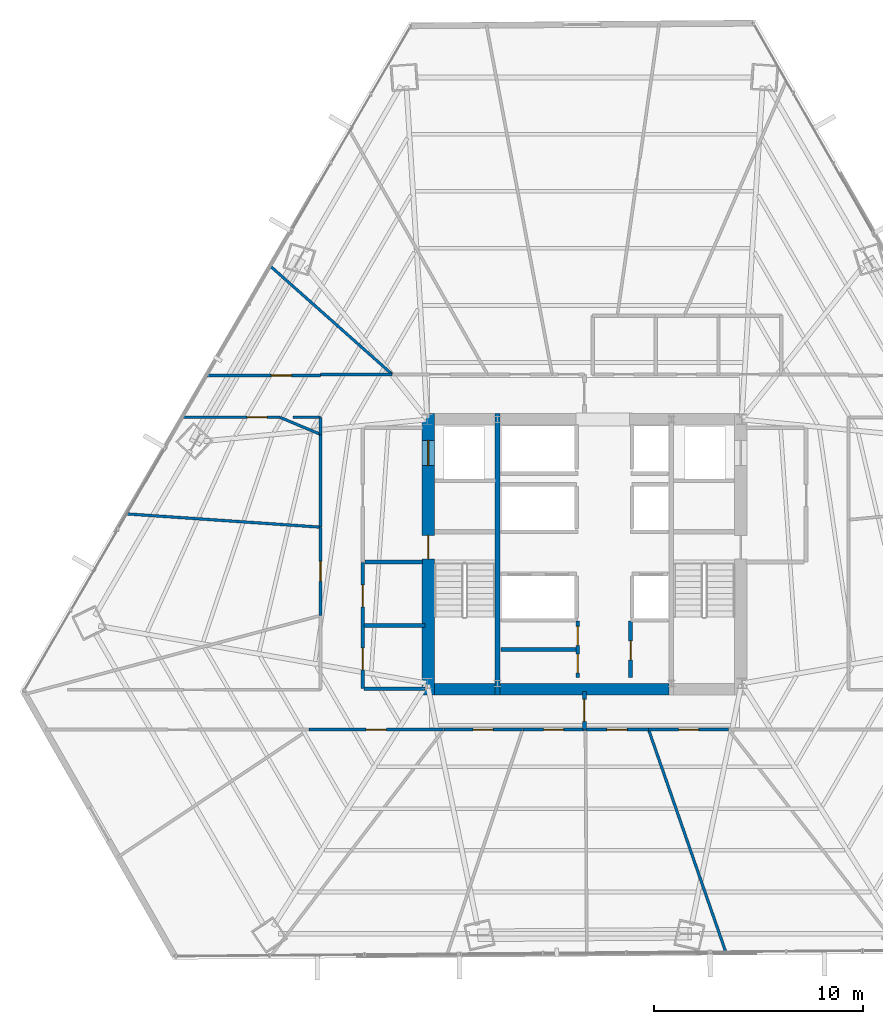
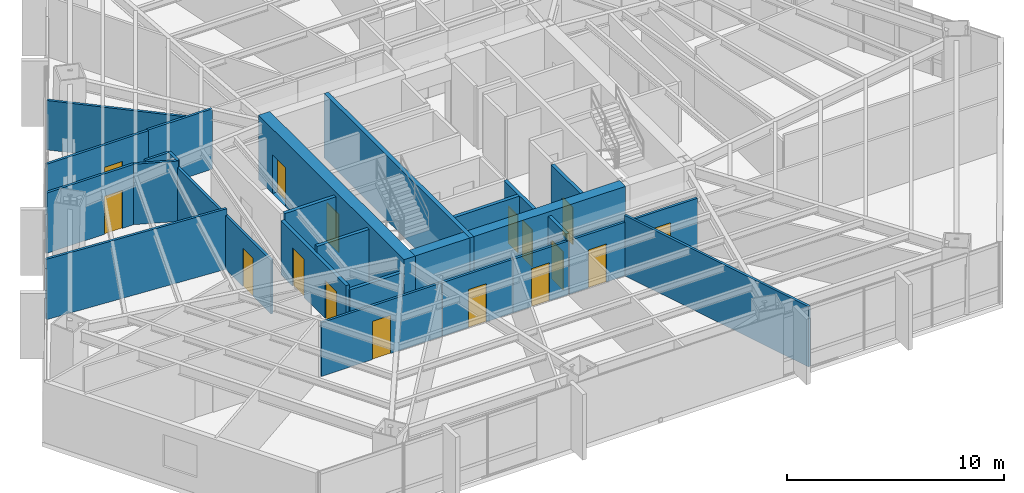
# One storey, part 29 of 34: 28 walls, 16 doors, 16 openings.
"""IFC4 building model written with IfcOpenShell, lengths in metres."""

from ifc_helpers import new_model, si_unit, direction, frame, frame_2d, origin, place, context, subcontext, project, spatial, rectangle, extrude, material, layer, layer_set, type_object, element, fill, save


model = new_model("IFC4")

# Units and contexts
model_context = context("Model", 3, precision=1e-05, world=origin(), true_north=direction((0.0, 1.0)))
body_context = subcontext(model_context, "Body", "Model", "MODEL_VIEW")
ifc_project = project(units=[si_unit("LENGTHUNIT", "METRE"), si_unit("AREAUNIT", "SQUARE_METRE"), si_unit("VOLUMEUNIT", "CUBIC_METRE"), si_unit("PLANEANGLEUNIT", "RADIAN"), si_unit("MASSUNIT", "GRAM", prefix="KILO")], contexts=[model_context])

# Site, building, storey
site_placement = place(None, origin())
site = spatial("IfcSite", under=ifc_project, at=site_placement, CompositionType="ELEMENT")
building_placement = place(site_placement, origin())
building = spatial("IfcBuilding", under=site, at=building_placement, Name="Caelisora Broadcast Tower", CompositionType="ELEMENT")
storey_placement = place(building_placement, frame((0.0, 0.0, 56.800048828125)))
storey = spatial("IfcBuildingStorey", under=building, at=storey_placement, Name="L14", CompositionType="ELEMENT", Elevation=56.800048828125)

# Wall, openings, doors
ifc_material_1 = material(Name="Concrete 65 MPa (AS 3600 S65)", Category="concrete")
ifc_layer_1 = layer(ifc_material_1, 0.60009765625, Name="Concrete 65 MPa (AS 3600 S65)")
ifc_layer_set_1 = layer_set([ifc_layer_1], Name="Concrete 65 MPa (AS 3600 S65)")
wall_type_1 = type_object("IfcWallType", Name="CW1", PredefinedType="SHEAR", material=ifc_layer_set_1)
wall_1_placement = place(storey_placement, frame((30.5400390625, 16.85009765625, 0.0), z_axis=(0.0, 0.0, 1.0), x_axis=(0.0, 1.0, 0.0)))
wall_1 = element("IfcWall", 1, at=wall_1_placement, inside=storey, type_object=wall_type_1, Name="L14 core shear wall CW1", PredefinedType="SHEAR", context=body_context, shape_type="SweptSolid", body=[
    extrude(rectangle(XDim=13.4248046875, YDim=0.60009765625, at=frame_2d((6.71240234375, 0.0))), origin(), (0.0, 0.0, 1.0), 3.64990234375),
])
opening_1_placement = place(wall_1_placement, frame((6.5, 0.0, 0.0)))
opening_1 = element("IfcOpeningElement", 2, at=opening_1_placement, cuts=wall_1, Name="Opening FD04", PredefinedType="OPENING", context=body_context, shape_type="SweptSolid", body=[
    extrude(rectangle(XDim=1.1201171875, YDim=2.14990234375, at=frame_2d((0.56005859375, 1.074951171875))), frame((0.0, 0.31201171875, 0.0), z_axis=(0.0, -1.0, 0.0), x_axis=(1.0, 0.0, 0.0)), (0.0, 0.0, 1.0), 0.6240234375),
])
opening_2_placement = place(wall_1_placement, frame((10.949951171875, 0.0, 0.0)))
opening_2 = element("IfcOpeningElement", 3, at=opening_2_placement, cuts=wall_1, Name="Opening LD04", PredefinedType="OPENING", context=body_context, shape_type="SweptSolid", body=[
    extrude(rectangle(XDim=1.199951171875, YDim=2.199951171875, at=frame_2d((0.60009765625, 1.10009765625))), frame((0.0, 0.31201171875, 0.0), z_axis=(0.0, -1.0, 0.0), x_axis=(1.0, 0.0, 0.0)), (0.0, 0.0, 1.0), 0.6240234375),
])
ifc_material_2 = material(Name="Pressurised Fire-Isolated Stair Door", Category="steel")
door_type_1 = type_object("IfcDoorType", Name="FD04", OperationType="NOTDEFINED", PredefinedType="DOOR", material=ifc_material_2)
door_1_placement = place(opening_1_placement, origin())
door_1 = element("IfcDoor", 4, at=door_1_placement, inside=storey, type_object=door_type_1, Name="L14 door FD04 (L14-DR-ST1)", OperationType="SINGLE_SWING_LEFT", OverallHeight=2.14990234375, OverallWidth=1.1201171875, PredefinedType="DOOR", context=body_context, shape_type="SweptSolid", body=[
    extrude(rectangle(XDim=1.1201171875, YDim=2.14990234375, at=frame_2d((0.56005859375, 1.074951171875))), frame((0.0, 0.02490234375, 0.0), z_axis=(0.0, -1.0, 0.0), x_axis=(1.0, 0.0, 0.0)), (0.0, 0.0, 1.0), 0.050048828125),
])
fill(opening_1, door_1)
ifc_material_3 = material(Name="Emergency Firefighting Lift Sliding Landing Door", Category="steel")
door_type_2 = type_object("IfcDoorType", Name="LD04", OperationType="NOTDEFINED", PredefinedType="DOOR", material=ifc_material_3)
door_2_placement = place(opening_2_placement, origin())
door_2 = element("IfcDoor", 5, at=door_2_placement, inside=storey, type_object=door_type_2, Name="L14 door LD04 (L14-LD-FFL1)", OperationType="SLIDING_TO_LEFT", OverallHeight=2.199951171875, OverallWidth=1.199951171875, PredefinedType="DOOR", context=body_context, shape_type="SweptSolid", body=[
    extrude(rectangle(XDim=1.199951171875, YDim=2.199951171875, at=frame_2d((0.60009765625, 1.10009765625))), frame((0.0, 0.02490234375, 0.0), z_axis=(0.0, -1.0, 0.0), x_axis=(1.0, 0.0, 0.0)), (0.0, 0.0, 1.0), 0.050048828125),
])
fill(opening_2, door_2)

# Walls
ifc_layer_2 = layer(ifc_material_1, 0.550048828125, Name="Concrete 65 MPa (AS 3600 S65)")
ifc_layer_set_2 = layer_set([ifc_layer_2], Name="Concrete 65 MPa (AS 3600 S65)")
wall_type_2 = type_object("IfcWallType", Name="CW4", PredefinedType="SHEAR", material=ifc_layer_set_2)
wall_2_placement = place(storey_placement, frame((30.840087890625, 17.125, 0.0), z_axis=(0.0, 0.0, 1.0), x_axis=(1.0, 0.0, 0.0)))
element("IfcWall", 6, at=wall_2_placement, inside=storey, type_object=wall_type_2, Name="L14 core shear wall CW4", PredefinedType="SHEAR", context=body_context, shape_type="SweptSolid", body=[
    extrude(rectangle(XDim=2.89990234375, YDim=0.550048828125, at=frame_2d((1.449951171875, 0.0))), origin(), (0.0, 0.0, 1.0), 3.64990234375),
])
wall_3_placement = place(storey_placement, frame((33.9599609375, 17.125, 0.0), z_axis=(0.0, 0.0, 1.0), x_axis=(1.0, 0.0, 0.0)))
element("IfcWall", 7, at=wall_3_placement, inside=storey, type_object=wall_type_2, Name="L14 core shear wall CW4", PredefinedType="SHEAR", context=body_context, shape_type="SweptSolid", body=[
    extrude(rectangle(XDim=8.080078125, YDim=0.550048828125, at=frame_2d((4.0400390625, 0.0))), origin(), (0.0, 0.0, 1.0), 3.64990234375),
])
ifc_material_4 = material(Name="Concrete 50 MPa (AS 3600 S50)", Category="concrete")
ifc_layer_3 = layer(ifc_material_4, 0.219970703125, Name="Concrete 50 MPa (AS 3600 S50)")
ifc_layer_set_3 = layer_set([ifc_layer_3], Name="Concrete 50 MPa (AS 3600 S50)")
wall_type_3 = type_object("IfcWallType", Name="CW7", PredefinedType="SHEAR", material=ifc_layer_set_3)
wall_4_placement = place(storey_placement, frame((33.85009765625, 16.85009765625, 0.0), z_axis=(0.0, 0.0, 1.0), x_axis=(0.0, 1.0, 0.0)))
element("IfcWall", 8, at=wall_4_placement, inside=storey, type_object=wall_type_3, Name="L14 core shear wall CW7", PredefinedType="SHEAR", context=body_context, shape_type="SweptSolid", body=[
    extrude(rectangle(XDim=13.4248046875, YDim=0.219970703125, at=frame_2d((6.71240234375, 0.0))), origin(), (0.0, 0.0, 1.0), 3.64990234375),
])
ifc_material_5 = material(Name="Fire-Rated Gypsum Shaft and Compartment Wall", Category="gypsum")
ifc_layer_4 = layer(ifc_material_5, 0.179931640625, Name="Fire-Rated Gypsum Shaft and Compartment Wall")
ifc_layer_set_4 = layer_set([ifc_layer_4], Name="Fire-Rated Gypsum Shaft and Compartment Wall")
wall_type_4 = type_object("IfcWallType", Name="PW2", PredefinedType="PARTITIONING", material=ifc_layer_set_4)
wall_5_placement = place(storey_placement, frame((27.52001953125, 23.199951171875, 0.0), z_axis=(0.0, 0.0, 1.0), x_axis=(1.0, 0.0, 0.0)))
element("IfcWall", 9, at=wall_5_placement, inside=storey, type_object=wall_type_4, Name="L14 fire compartment wall PW2", PredefinedType="PARTITIONING", context=body_context, shape_type="SweptSolid", body=[
    extrude(rectangle(XDim=2.760009765625, YDim=0.179931640625, at=frame_2d((1.3798828125, 0.0))), origin(), (0.0, 0.0, 1.0), 3.39990234375),
])
wall_6_placement = place(storey_placement, frame((34.02001953125, 19.02001953125, 0.0), z_axis=(0.0, 0.0, 1.0), x_axis=(1.0, 0.0, 0.0)))
element("IfcWall", 10, at=wall_6_placement, inside=storey, type_object=wall_type_4, Name="L14 fire compartment wall PW2", PredefinedType="PARTITIONING", context=body_context, shape_type="SweptSolid", body=[
    extrude(rectangle(XDim=3.580078125, YDim=0.179931640625, at=frame_2d((1.7900390625, 0.0))), origin(), (0.0, 0.0, 1.0), 3.39990234375),
])

# Wall, openings, doors
wall_7_placement = place(storey_placement, frame((37.679931640625, 17.679931640625, 0.0), z_axis=(0.0, 0.0, 1.0), x_axis=(0.0, 1.0, 0.0)))
wall_7 = element("IfcWall", 11, at=wall_7_placement, inside=storey, type_object=wall_type_4, Name="L14 fire compartment wall PW2", PredefinedType="PARTITIONING", context=body_context, shape_type="SweptSolid", body=[
    extrude(rectangle(XDim=2.699951171875, YDim=0.179931640625, at=frame_2d((1.35009765625, 0.0))), origin(), (0.0, 0.0, 1.0), 3.39990234375),
])
opening_3_placement = place(wall_7_placement, frame((0.219970703125, 0.0, 0.0)))
opening_3 = element("IfcOpeningElement", 12, at=opening_3_placement, cuts=wall_7, Name="Opening FD03", PredefinedType="OPENING", context=body_context, shape_type="SweptSolid", body=[
    extrude(rectangle(XDim=0.89990234375, YDim=2.10009765625, at=frame_2d((0.449951171875, 1.050048828125))), frame((0.0, 0.10205078125, 0.0), z_axis=(0.0, -1.0, 0.0), x_axis=(1.0, 0.0, 0.0)), (0.0, 0.0, 1.0), 0.203857421875),
])
opening_4_placement = place(wall_7_placement, frame((1.5400390625, 0.0, 0.0)))
opening_4 = element("IfcOpeningElement", 13, at=opening_4_placement, cuts=wall_7, Name="Opening FD03", PredefinedType="OPENING", context=body_context, shape_type="SweptSolid", body=[
    extrude(rectangle(XDim=0.89990234375, YDim=2.10009765625, at=frame_2d((0.449951171875, 1.050048828125))), frame((0.0, 0.10205078125, 0.0), z_axis=(0.0, -1.0, 0.0), x_axis=(1.0, 0.0, 0.0)), (0.0, 0.0, 1.0), 0.203857421875),
])
ifc_material_6 = material(Name="Single-Leaf Steel Riser Fire Access Door", Category="steel")
door_type_3 = type_object("IfcDoorType", Name="FD03", OperationType="NOTDEFINED", PredefinedType="DOOR", material=ifc_material_6)
door_3_placement = place(opening_3_placement, origin())
door_3 = element("IfcDoor", 14, at=door_3_placement, inside=storey, type_object=door_type_3, Name="L14 door FD03 (L14-DR-P12D1)", OperationType="SINGLE_SWING_LEFT", OverallHeight=2.10009765625, OverallWidth=0.89990234375, PredefinedType="DOOR", context=body_context, shape_type="SweptSolid", body=[
    extrude(rectangle(XDim=0.89990234375, YDim=2.10009765625, at=frame_2d((0.449951171875, 1.050048828125))), frame((0.0, 0.02490234375, 0.0), z_axis=(0.0, -1.0, 0.0), x_axis=(1.0, 0.0, 0.0)), (0.0, 0.0, 1.0), 0.050048828125),
])
fill(opening_3, door_3)
door_4_placement = place(opening_4_placement, origin())
door_4 = element("IfcDoor", 15, at=door_4_placement, inside=storey, type_object=door_type_3, Name="L14 door FD03 (L14-DR-P12D2)", OperationType="SINGLE_SWING_RIGHT", OverallHeight=2.10009765625, OverallWidth=0.89990234375, PredefinedType="DOOR", context=body_context, shape_type="SweptSolid", body=[
    extrude(rectangle(XDim=0.89990234375, YDim=2.10009765625, at=frame_2d((0.449951171875, 1.050048828125))), frame((0.0, 0.02490234375, 0.0), z_axis=(0.0, -1.0, 0.0), x_axis=(1.0, 0.0, 0.0)), (0.0, 0.0, 1.0), 0.050048828125),
])
fill(opening_4, door_4)

# Wall, opening, door
wall_8_placement = place(storey_placement, frame((40.199951171875, 17.679931640625, 0.0), z_axis=(0.0, 0.0, 1.0), x_axis=(0.0, 1.0, 0.0)))
wall_8 = element("IfcWall", 16, at=wall_8_placement, inside=storey, type_object=wall_type_4, Name="L14 fire compartment wall PW2", PredefinedType="PARTITIONING", context=body_context, shape_type="SweptSolid", body=[
    extrude(rectangle(XDim=2.699951171875, YDim=0.179931640625, at=frame_2d((1.35009765625, 0.0))), origin(), (0.0, 0.0, 1.0), 3.39990234375),
])
opening_5_placement = place(wall_8_placement, frame((0.85009765625, 0.0, 0.0)))
opening_5 = element("IfcOpeningElement", 17, at=opening_5_placement, cuts=wall_8, Name="Opening FD03", PredefinedType="OPENING", context=body_context, shape_type="SweptSolid", body=[
    extrude(rectangle(XDim=0.89990234375, YDim=2.10009765625, at=frame_2d((0.449951171875, 1.050048828125))), frame((0.0, 0.10205078125, 0.0), z_axis=(0.0, -1.0, 0.0), x_axis=(1.0, 0.0, 0.0)), (0.0, 0.0, 1.0), 0.203857421875),
])
door_5_placement = place(opening_5_placement, origin())
door_5 = element("IfcDoor", 18, at=door_5_placement, inside=storey, type_object=door_type_3, Name="L14 door FD03 (L14-DR-P13D1)", OperationType="SINGLE_SWING_LEFT", OverallHeight=2.10009765625, OverallWidth=0.89990234375, PredefinedType="DOOR", context=body_context, shape_type="SweptSolid", body=[
    extrude(rectangle(XDim=0.89990234375, YDim=2.10009765625, at=frame_2d((0.449951171875, 1.050048828125))), frame((0.0, 0.02490234375, 0.0), z_axis=(0.0, -1.0, 0.0), x_axis=(1.0, 0.0, 0.0)), (0.0, 0.0, 1.0), 0.050048828125),
])
fill(opening_5, door_5)

# Wall
wall_9_placement = place(storey_placement, frame((27.47998046875, 20.169921875, 0.0), z_axis=(0.0, 0.0, 1.0), x_axis=(1.0, 0.0, 0.0)))
element("IfcWall", 19, at=wall_9_placement, inside=storey, type_object=wall_type_4, Name="L14 fire compartment wall PW2", PredefinedType="PARTITIONING", context=body_context, shape_type="SweptSolid", body=[
    extrude(rectangle(XDim=2.89990234375, YDim=0.179931640625, at=frame_2d((1.449951171875, 0.0))), origin(), (0.0, 0.0, 1.0), 3.39990234375),
])

# Wall, openings, doors
wall_10_placement = place(storey_placement, frame((27.419921875, 17.14990234375, 0.0), z_axis=(0.0, 0.0, 1.0), x_axis=(0.0, 1.0, 0.0)))
wall_10 = element("IfcWall", 20, at=wall_10_placement, inside=storey, type_object=wall_type_4, Name="L14 fire compartment wall PW2", PredefinedType="PARTITIONING", context=body_context, shape_type="SweptSolid", body=[
    extrude(rectangle(XDim=6.030029296875, YDim=0.179931640625, at=frame_2d((3.01513671875, 0.0))), origin(), (0.0, 0.0, 1.0), 3.0263671875),
])
opening_6_placement = place(wall_10_placement, frame((0.89990234375, 0.0, 0.0)))
opening_6 = element("IfcOpeningElement", 21, at=opening_6_placement, cuts=wall_10, Name="Opening FD02", PredefinedType="OPENING", context=body_context, shape_type="SweptSolid", body=[
    extrude(rectangle(XDim=1.050048828125, YDim=2.14990234375, at=frame_2d((0.52490234375, 1.074951171875))), frame((0.0, 0.10205078125, 0.0), z_axis=(0.0, -1.0, 0.0), x_axis=(1.0, 0.0, 0.0)), (0.0, 0.0, 1.0), 0.203857421875),
])
opening_7_placement = place(wall_10_placement, frame((3.89990234375, 0.0, 0.0)))
opening_7 = element("IfcOpeningElement", 22, at=opening_7_placement, cuts=wall_10, Name="Opening FD02", PredefinedType="OPENING", context=body_context, shape_type="SweptSolid", body=[
    extrude(rectangle(XDim=1.050048828125, YDim=2.14990234375, at=frame_2d((0.52490234375, 1.074951171875))), frame((0.0, 0.10205078125, 0.0), z_axis=(0.0, -1.0, 0.0), x_axis=(1.0, 0.0, 0.0)), (0.0, 0.0, 1.0), 0.203857421875),
])
ifc_material_7 = material(Name="Single-Leaf Steel Fire Lobby Door", Category="steel")
door_type_4 = type_object("IfcDoorType", Name="FD02", OperationType="NOTDEFINED", PredefinedType="DOOR", material=ifc_material_7)
door_6_placement = place(opening_6_placement, origin())
door_6 = element("IfcDoor", 23, at=door_6_placement, inside=storey, type_object=door_type_4, Name="L14 door FD02 (L14-DR-P15D1)", OperationType="SINGLE_SWING_RIGHT", OverallHeight=2.14990234375, OverallWidth=1.050048828125, PredefinedType="DOOR", context=body_context, shape_type="SweptSolid", body=[
    extrude(rectangle(XDim=1.050048828125, YDim=2.14990234375, at=frame_2d((0.52490234375, 1.074951171875))), frame((0.0, 0.02490234375, 0.0), z_axis=(0.0, -1.0, 0.0), x_axis=(1.0, 0.0, 0.0)), (0.0, 0.0, 1.0), 0.050048828125),
])
fill(opening_6, door_6)
door_7_placement = place(opening_7_placement, origin())
door_7 = element("IfcDoor", 24, at=door_7_placement, inside=storey, type_object=door_type_4, Name="L14 door FD02 (L14-DR-P15D2)", OperationType="SINGLE_SWING_LEFT", OverallHeight=2.14990234375, OverallWidth=1.050048828125, PredefinedType="DOOR", context=body_context, shape_type="SweptSolid", body=[
    extrude(rectangle(XDim=1.050048828125, YDim=2.14990234375, at=frame_2d((0.52490234375, 1.074951171875))), frame((0.0, 0.02490234375, 0.0), z_axis=(0.0, -1.0, 0.0), x_axis=(1.0, 0.0, 0.0)), (0.0, 0.0, 1.0), 0.050048828125),
])
fill(opening_7, door_7)

# Wall
wall_11_placement = place(storey_placement, frame((27.47998046875, 17.14990234375, 0.0), z_axis=(0.0, 0.0, 1.0), x_axis=(1.0, 0.0, 0.0)))
element("IfcWall", 25, at=wall_11_placement, inside=storey, type_object=wall_type_4, Name="L14 fire compartment wall PW2", PredefinedType="PARTITIONING", context=body_context, shape_type="SweptSolid", body=[
    extrude(rectangle(XDim=2.89990234375, YDim=0.179931640625, at=frame_2d((1.449951171875, 0.0))), origin(), (0.0, 0.0, 1.0), 2.78271484375),
])

# Wall, opening, door
wall_12_placement = place(storey_placement, frame((38.0, 15.205078125, 0.0), z_axis=(0.0, 0.0, 1.0), x_axis=(0.0, 1.0, 0.0)))
wall_12 = element("IfcWall", 26, at=wall_12_placement, inside=storey, type_object=wall_type_4, Name="L14 fire compartment wall PW2", PredefinedType="PARTITIONING", context=body_context, shape_type="SweptSolid", body=[
    extrude(rectangle(XDim=1.81982421875, YDim=0.179931640625, at=frame_2d((0.909912109375, 0.0))), origin(), (0.0, 0.0, 1.0), 3.39990234375),
])
opening_8_placement = place(wall_12_placement, frame((0.385009765625, 0.0, 0.0)))
opening_8 = element("IfcOpeningElement", 27, at=opening_8_placement, cuts=wall_12, Name="Opening FD02", PredefinedType="OPENING", context=body_context, shape_type="SweptSolid", body=[
    extrude(rectangle(XDim=1.050048828125, YDim=2.14990234375, at=frame_2d((0.52490234375, 1.074951171875))), frame((0.0, 0.10205078125, 0.0), z_axis=(0.0, -1.0, 0.0), x_axis=(1.0, 0.0, 0.0)), (0.0, 0.0, 1.0), 0.203857421875),
])
door_8_placement = place(opening_8_placement, origin())
door_8 = element("IfcDoor", 28, at=door_8_placement, inside=storey, type_object=door_type_4, Name="L14 door FD02 (L14-DR-P67D1)", OperationType="SINGLE_SWING_RIGHT", OverallHeight=2.14990234375, OverallWidth=1.050048828125, PredefinedType="DOOR", context=body_context, shape_type="SweptSolid", body=[
    extrude(rectangle(XDim=1.050048828125, YDim=2.14990234375, at=frame_2d((0.52490234375, 1.074951171875))), frame((0.0, 0.02490234375, 0.0), z_axis=(0.0, -1.0, 0.0), x_axis=(1.0, 0.0, 0.0)), (0.0, 0.0, 1.0), 0.050048828125),
])
fill(opening_8, door_8)

# Walls
ifc_material_8 = material(Name="Acoustic Steel-Stud Plasterboard Partition", Category="gypsum")
ifc_layer_5 = layer(ifc_material_8, 0.1298828125, Name="Acoustic Steel-Stud Plasterboard Partition")
ifc_layer_set_5 = layer_set([ifc_layer_5], Name="Acoustic Steel-Stud Plasterboard Partition")
wall_type_5 = type_object("IfcWallType", Name="PW3", PredefinedType="PARTITIONING", material=ifc_layer_set_5)
wall_13_placement = place(storey_placement, frame((41.06201171875, 15.195068359375, 0.0), z_axis=(0.0, 0.0, 1.0), x_axis=(0.327826132097, -0.944738073285, 0.0)))
element("IfcWall", 29, at=wall_13_placement, inside=storey, type_object=wall_type_5, Name="L14 internal partition PW3", PredefinedType="PARTITIONING", context=body_context, shape_type="SweptSolid", body=[
    extrude(rectangle(XDim=11.236328125, YDim=0.1298828125, at=frame_2d((5.6181640625, 0.0))), origin(), (0.0, 0.0, 1.0), 3.39990234375),
])
wall_14_placement = place(storey_placement, frame((16.154296875, 25.492919921875, 0.0), z_axis=(0.0, 0.0, 1.0), x_axis=(0.997663402028, -0.068320833238, 0.0)))
element("IfcWall", 30, at=wall_14_placement, inside=storey, type_object=wall_type_5, Name="L14 internal partition PW3", PredefinedType="PARTITIONING", context=body_context, shape_type="SweptSolid", body=[
    extrude(rectangle(XDim=9.262451171875, YDim=0.1298828125, at=frame_2d((4.63134765625, 0.0))), origin(), (0.0, 0.0, 1.0), 3.39990234375),
])
wall_15_placement = place(storey_placement, frame((23.025390625, 37.302978515625, 0.0), z_axis=(0.0, 0.0, 1.0), x_axis=(0.747801642207, -0.663922212245, 0.0)))
element("IfcWall", 31, at=wall_15_placement, inside=storey, type_object=wall_type_5, Name="L14 internal partition PW3", PredefinedType="PARTITIONING", context=body_context, shape_type="SweptSolid", body=[
    extrude(rectangle(XDim=7.7568359375, YDim=0.1298828125, at=frame_2d((3.87841796875, 0.0))), origin(), (0.0, 0.0, 1.0), 2.78271484375),
])

# Wall, opening, door
wall_16_placement = place(storey_placement, frame((24.844970703125, 15.199951171875, 0.0), z_axis=(0.0, 0.0, 1.0), x_axis=(1.0, 0.0, 0.0)))
wall_16 = element("IfcWall", 32, at=wall_16_placement, inside=storey, type_object=wall_type_5, Name="L14 internal partition PW3", PredefinedType="PARTITIONING", context=body_context, shape_type="SweptSolid", body=[
    extrude(rectangle(XDim=6.429931640625, YDim=0.1298828125, at=frame_2d((3.21484375, 0.0))), origin(), (0.0, 0.0, 1.0), 3.0263671875),
])
opening_9_placement = place(wall_16_placement, frame((2.735107421875, 0.0, 0.0)))
opening_9 = element("IfcOpeningElement", 33, at=opening_9_placement, cuts=wall_16, Name="Opening D01", PredefinedType="OPENING", context=body_context, shape_type="SweptSolid", body=[
    extrude(rectangle(XDim=0.9599609375, YDim=2.14990234375, at=frame_2d((0.47998046875, 1.074951171875))), frame((0.0, 0.076904296875, 0.0), z_axis=(0.0, -1.0, 0.0), x_axis=(1.0, 0.0, 0.0)), (0.0, 0.0, 1.0), 0.15380859375),
])
ifc_material_9 = material(Name="Solid-Core Timber Acoustic Office Door", Category="wood")
door_type_5 = type_object("IfcDoorType", Name="D01", OperationType="NOTDEFINED", PredefinedType="DOOR", material=ifc_material_9)
door_9_placement = place(opening_9_placement, origin())
door_9 = element("IfcDoor", 34, at=door_9_placement, inside=storey, type_object=door_type_5, Name="L14 door D01 (L14-DR-P48D1)", OperationType="SINGLE_SWING_RIGHT", OverallHeight=2.14990234375, OverallWidth=0.9599609375, PredefinedType="DOOR", context=body_context, shape_type="SweptSolid", body=[
    extrude(rectangle(XDim=0.9599609375, YDim=2.14990234375, at=frame_2d((0.47998046875, 1.074951171875))), frame((0.0, 0.02490234375, 0.0), z_axis=(0.0, -1.0, 0.0), x_axis=(1.0, 0.0, 0.0)), (0.0, 0.0, 1.0), 0.050048828125),
])
fill(opening_9, door_9)

wall_17_placement = place(storey_placement, frame((19.998291015625, 32.10009765625, 0.0), z_axis=(0.0, 0.0, 1.0), x_axis=(1.0, 0.0, 0.0)))
wall_17 = element("IfcWall", 35, at=wall_17_placement, inside=storey, type_object=wall_type_5, Name="L14 internal partition PW3", PredefinedType="PARTITIONING", context=body_context, shape_type="SweptSolid", body=[
    extrude(rectangle(XDim=5.396728515625, YDim=0.1298828125, at=frame_2d((2.6982421875, 0.0))), origin(), (0.0, 0.0, 1.0), 3.39990234375),
])
opening_10_placement = place(wall_17_placement, frame((3.06005859375, 0.0, 0.0)))
opening_10 = element("IfcOpeningElement", 36, at=opening_10_placement, cuts=wall_17, Name="Opening D01", PredefinedType="OPENING", context=body_context, shape_type="SweptSolid", body=[
    extrude(rectangle(XDim=0.9599609375, YDim=2.14990234375, at=frame_2d((0.47998046875, 1.074951171875))), frame((0.0, 0.076904296875, 0.0), z_axis=(0.0, -1.0, 0.0), x_axis=(1.0, 0.0, 0.0)), (0.0, 0.0, 1.0), 0.15380859375),
])
door_10_placement = place(opening_10_placement, origin())
door_10 = element("IfcDoor", 37, at=door_10_placement, inside=storey, type_object=door_type_5, Name="L14 door D01 (L14-DR-P50D1)", OperationType="SINGLE_SWING_RIGHT", OverallHeight=2.14990234375, OverallWidth=0.9599609375, PredefinedType="DOOR", context=body_context, shape_type="SweptSolid", body=[
    extrude(rectangle(XDim=0.9599609375, YDim=2.14990234375, at=frame_2d((0.47998046875, 1.074951171875))), frame((0.0, 0.02490234375, 0.0), z_axis=(0.0, -1.0, 0.0), x_axis=(1.0, 0.0, 0.0)), (0.0, 0.0, 1.0), 0.050048828125),
])
fill(opening_10, door_10)

wall_18_placement = place(storey_placement, frame((18.834716796875, 30.10009765625, 0.0), z_axis=(0.0, 0.0, 1.0), x_axis=(1.0, 0.0, 0.0)))
wall_18 = element("IfcWall", 38, at=wall_18_placement, inside=storey, type_object=wall_type_5, Name="L14 internal partition PW3", PredefinedType="PARTITIONING", context=body_context, shape_type="SweptSolid", body=[
    extrude(rectangle(XDim=4.63037109375, YDim=0.1298828125, at=frame_2d((2.315185546875, 0.0))), origin(), (0.0, 0.0, 1.0), 3.39990234375),
])
opening_11_placement = place(wall_18_placement, frame((3.06005859375, 0.0, 0.0)))
opening_11 = element("IfcOpeningElement", 39, at=opening_11_placement, cuts=wall_18, Name="Opening D01", PredefinedType="OPENING", context=body_context, shape_type="SweptSolid", body=[
    extrude(rectangle(XDim=0.9599609375, YDim=2.14990234375, at=frame_2d((0.47998046875, 1.074951171875))), frame((0.0, 0.076904296875, 0.0), z_axis=(0.0, -1.0, 0.0), x_axis=(1.0, 0.0, 0.0)), (0.0, 0.0, 1.0), 0.15380859375),
])
door_11_placement = place(opening_11_placement, origin())
door_11 = element("IfcDoor", 40, at=door_11_placement, inside=storey, type_object=door_type_5, Name="L14 door D01 (L14-DR-P53D1)", OperationType="SINGLE_SWING_RIGHT", OverallHeight=2.14990234375, OverallWidth=0.9599609375, PredefinedType="DOOR", context=body_context, shape_type="SweptSolid", body=[
    extrude(rectangle(XDim=0.9599609375, YDim=2.14990234375, at=frame_2d((0.47998046875, 1.074951171875))), frame((0.0, 0.02490234375, 0.0), z_axis=(0.0, -1.0, 0.0), x_axis=(1.0, 0.0, 0.0)), (0.0, 0.0, 1.0), 0.050048828125),
])
fill(opening_11, door_11)

# Wall
wall_19_placement = place(storey_placement, frame((25.39990234375, 24.864990234375, 0.0), z_axis=(0.0, 0.0, 1.0), x_axis=(0.0, 1.0, 0.0)))
element("IfcWall", 41, at=wall_19_placement, inside=storey, type_object=wall_type_5, Name="L14 internal partition PW3", PredefinedType="PARTITIONING", context=body_context, shape_type="SweptSolid", body=[
    extrude(rectangle(XDim=4.419921875, YDim=0.1298828125, at=frame_2d((2.2099609375, 0.0))), origin(), (0.0, 0.0, 1.0), 3.0263671875),
])

# Wall, opening, door
wall_20_placement = place(storey_placement, frame((25.39990234375, 20.64501953125, 0.0), z_axis=(0.0, 0.0, 1.0), x_axis=(0.0, 1.0, 0.0)))
wall_20 = element("IfcWall", 42, at=wall_20_placement, inside=storey, type_object=wall_type_5, Name="L14 internal partition PW3", PredefinedType="PARTITIONING", context=body_context, shape_type="SweptSolid", body=[
    extrude(rectangle(XDim=4.2099609375, YDim=0.1298828125, at=frame_2d((2.10498046875, 0.0))), origin(), (0.0, 0.0, 1.0), 3.0263671875),
])
opening_12_placement = place(wall_20_placement, frame((1.625, 0.0, 0.0)))
opening_12 = element("IfcOpeningElement", 43, at=opening_12_placement, cuts=wall_20, Name="Opening D01", PredefinedType="OPENING", context=body_context, shape_type="SweptSolid", body=[
    extrude(rectangle(XDim=0.9599609375, YDim=2.14990234375, at=frame_2d((0.47998046875, 1.074951171875))), frame((0.0, 0.076904296875, 0.0), z_axis=(0.0, -1.0, 0.0), x_axis=(1.0, 0.0, 0.0)), (0.0, 0.0, 1.0), 0.15380859375),
])
door_12_placement = place(opening_12_placement, origin())
door_12 = element("IfcDoor", 44, at=door_12_placement, inside=storey, type_object=door_type_5, Name="L14 door D01 (L14-DR-P56D1)", OperationType="SINGLE_SWING_RIGHT", OverallHeight=2.14990234375, OverallWidth=0.9599609375, PredefinedType="DOOR", context=body_context, shape_type="SweptSolid", body=[
    extrude(rectangle(XDim=0.9599609375, YDim=2.14990234375, at=frame_2d((0.47998046875, 1.074951171875))), frame((0.0, 0.02490234375, 0.0), z_axis=(0.0, -1.0, 0.0), x_axis=(1.0, 0.0, 0.0)), (0.0, 0.0, 1.0), 0.050048828125),
])
fill(opening_12, door_12)

wall_21_placement = place(storey_placement, frame((41.06494140625, 15.199951171875, 0.0), z_axis=(0.0, 0.0, 1.0), x_axis=(1.0, 0.0, 0.0)))
wall_21 = element("IfcWall", 45, at=wall_21_placement, inside=storey, type_object=wall_type_5, Name="L14 internal partition PW3", PredefinedType="PARTITIONING", context=body_context, shape_type="SweptSolid", body=[
    extrude(rectangle(XDim=3.81005859375, YDim=0.1298828125, at=frame_2d((1.905029296875, 0.0))), origin(), (0.0, 0.0, 1.0), 3.0263671875),
])
opening_13_placement = place(wall_21_placement, frame((1.425048828125, 0.0, 0.0)))
opening_13 = element("IfcOpeningElement", 46, at=opening_13_placement, cuts=wall_21, Name="Opening D01", PredefinedType="OPENING", context=body_context, shape_type="SweptSolid", body=[
    extrude(rectangle(XDim=0.9599609375, YDim=2.14990234375, at=frame_2d((0.47998046875, 1.074951171875))), frame((0.0, 0.076904296875, 0.0), z_axis=(0.0, -1.0, 0.0), x_axis=(1.0, 0.0, 0.0)), (0.0, 0.0, 1.0), 0.15380859375),
])
door_13_placement = place(opening_13_placement, origin())
door_13 = element("IfcDoor", 47, at=door_13_placement, inside=storey, type_object=door_type_5, Name="L14 door D01 (L14-DR-P57D1)", OperationType="SINGLE_SWING_LEFT", OverallHeight=2.14990234375, OverallWidth=0.9599609375, PredefinedType="DOOR", context=body_context, shape_type="SweptSolid", body=[
    extrude(rectangle(XDim=0.9599609375, YDim=2.14990234375, at=frame_2d((0.47998046875, 1.074951171875))), frame((0.0, 0.02490234375, 0.0), z_axis=(0.0, -1.0, 0.0), x_axis=(1.0, 0.0, 0.0)), (0.0, 0.0, 1.0), 0.050048828125),
])
fill(opening_13, door_13)

wall_22_placement = place(storey_placement, frame((31.284912109375, 15.199951171875, 0.0), z_axis=(0.0, 0.0, 1.0), x_axis=(1.0, 0.0, 0.0)))
wall_22 = element("IfcWall", 48, at=wall_22_placement, inside=storey, type_object=wall_type_5, Name="L14 internal partition PW3", PredefinedType="PARTITIONING", context=body_context, shape_type="SweptSolid", body=[
    extrude(rectangle(XDim=3.760009765625, YDim=0.1298828125, at=frame_2d((1.8798828125, 0.0))), origin(), (0.0, 0.0, 1.0), 3.0263671875),
])
opening_14_placement = place(wall_22_placement, frame((1.39990234375, 0.0, 0.0)))
opening_14 = element("IfcOpeningElement", 49, at=opening_14_placement, cuts=wall_22, Name="Opening D01", PredefinedType="OPENING", context=body_context, shape_type="SweptSolid", body=[
    extrude(rectangle(XDim=0.9599609375, YDim=2.14990234375, at=frame_2d((0.47998046875, 1.074951171875))), frame((0.0, 0.076904296875, 0.0), z_axis=(0.0, -1.0, 0.0), x_axis=(1.0, 0.0, 0.0)), (0.0, 0.0, 1.0), 0.15380859375),
])
door_14_placement = place(opening_14_placement, origin())
door_14 = element("IfcDoor", 50, at=door_14_placement, inside=storey, type_object=door_type_5, Name="L14 door D01 (L14-DR-P58D1)", OperationType="SINGLE_SWING_RIGHT", OverallHeight=2.14990234375, OverallWidth=0.9599609375, PredefinedType="DOOR", context=body_context, shape_type="SweptSolid", body=[
    extrude(rectangle(XDim=0.9599609375, YDim=2.14990234375, at=frame_2d((0.47998046875, 1.074951171875))), frame((0.0, 0.02490234375, 0.0), z_axis=(0.0, -1.0, 0.0), x_axis=(1.0, 0.0, 0.0)), (0.0, 0.0, 1.0), 0.050048828125),
])
fill(opening_14, door_14)

# Wall
wall_23_placement = place(storey_placement, frame((25.405029296875, 32.14990234375, 0.0), z_axis=(0.0, 0.0, 1.0), x_axis=(1.0, 0.0, 0.0)))
element("IfcWall", 51, at=wall_23_placement, inside=storey, type_object=wall_type_5, Name="L14 internal partition PW3", PredefinedType="PARTITIONING", context=body_context, shape_type="SweptSolid", body=[
    extrude(rectangle(XDim=3.419921875, YDim=0.1298828125, at=frame_2d((1.7099609375, 0.0))), origin(), (0.0, 0.0, 1.0), 3.39990234375),
])

# Wall, opening, door
wall_24_placement = place(storey_placement, frame((38.054931640625, 15.199951171875, 0.0), z_axis=(0.0, 0.0, 1.0), x_axis=(1.0, 0.0, 0.0)))
wall_24 = element("IfcWall", 52, at=wall_24_placement, inside=storey, type_object=wall_type_5, Name="L14 internal partition PW3", PredefinedType="PARTITIONING", context=body_context, shape_type="SweptSolid", body=[
    extrude(rectangle(XDim=3.0, YDim=0.1298828125, at=frame_2d((1.5, 0.0))), origin(), (0.0, 0.0, 1.0), 3.0263671875),
])
opening_15_placement = place(wall_24_placement, frame((1.02001953125, 0.0, 0.0)))
opening_15 = element("IfcOpeningElement", 53, at=opening_15_placement, cuts=wall_24, Name="Opening D01", PredefinedType="OPENING", context=body_context, shape_type="SweptSolid", body=[
    extrude(rectangle(XDim=0.9599609375, YDim=2.14990234375, at=frame_2d((0.47998046875, 1.074951171875))), frame((0.0, 0.076904296875, 0.0), z_axis=(0.0, -1.0, 0.0), x_axis=(1.0, 0.0, 0.0)), (0.0, 0.0, 1.0), 0.15380859375),
])
door_15_placement = place(opening_15_placement, origin())
door_15 = element("IfcDoor", 54, at=door_15_placement, inside=storey, type_object=door_type_5, Name="L14 door D01 (L14-DR-P63D1)", OperationType="SINGLE_SWING_RIGHT", OverallHeight=2.14990234375, OverallWidth=0.9599609375, PredefinedType="DOOR", context=body_context, shape_type="SweptSolid", body=[
    extrude(rectangle(XDim=0.9599609375, YDim=2.14990234375, at=frame_2d((0.47998046875, 1.074951171875))), frame((0.0, 0.02490234375, 0.0), z_axis=(0.0, -1.0, 0.0), x_axis=(1.0, 0.0, 0.0)), (0.0, 0.0, 1.0), 0.050048828125),
])
fill(opening_15, door_15)

wall_25_placement = place(storey_placement, frame((35.054931640625, 15.199951171875, 0.0), z_axis=(0.0, 0.0, 1.0), x_axis=(1.0, 0.0, 0.0)))
wall_25 = element("IfcWall", 55, at=wall_25_placement, inside=storey, type_object=wall_type_5, Name="L14 internal partition PW3", PredefinedType="PARTITIONING", context=body_context, shape_type="SweptSolid", body=[
    extrude(rectangle(XDim=2.940185546875, YDim=0.1298828125, at=frame_2d((1.47021484375, 0.0))), origin(), (0.0, 0.0, 1.0), 3.0263671875),
])
opening_16_placement = place(wall_25_placement, frame((0.989990234375, 0.0, 0.0)))
opening_16 = element("IfcOpeningElement", 56, at=opening_16_placement, cuts=wall_25, Name="Opening D01", PredefinedType="OPENING", context=body_context, shape_type="SweptSolid", body=[
    extrude(rectangle(XDim=0.9599609375, YDim=2.14990234375, at=frame_2d((0.47998046875, 1.074951171875))), frame((0.0, 0.076904296875, 0.0), z_axis=(0.0, -1.0, 0.0), x_axis=(1.0, 0.0, 0.0)), (0.0, 0.0, 1.0), 0.15380859375),
])
door_16_placement = place(opening_16_placement, origin())
door_16 = element("IfcDoor", 57, at=door_16_placement, inside=storey, type_object=door_type_5, Name="L14 door D01 (L14-DR-P64D1)", OperationType="SINGLE_SWING_LEFT", OverallHeight=2.14990234375, OverallWidth=0.9599609375, PredefinedType="DOOR", context=body_context, shape_type="SweptSolid", body=[
    extrude(rectangle(XDim=0.9599609375, YDim=2.14990234375, at=frame_2d((0.47998046875, 1.074951171875))), frame((0.0, 0.02490234375, 0.0), z_axis=(0.0, -1.0, 0.0), x_axis=(1.0, 0.0, 0.0)), (0.0, 0.0, 1.0), 0.050048828125),
])
fill(opening_16, door_16)

# Walls
wall_26_placement = place(storey_placement, frame((23.47509765625, 30.097900390625, 0.0), z_axis=(0.0, 0.0, 1.0), x_axis=(0.922060785378, -0.387045098236, 0.0)))
element("IfcWall", 58, at=wall_26_placement, inside=storey, type_object=wall_type_5, Name="L14 internal partition PW3", PredefinedType="PARTITIONING", context=body_context, shape_type="SweptSolid", body=[
    extrude(rectangle(XDim=2.082275390625, YDim=0.1298828125, at=frame_2d((1.041015625, 0.0))), origin(), (0.0, 0.0, 1.0), 3.39990234375),
])
wall_27_placement = place(storey_placement, frame((25.39501953125, 30.10009765625, 0.0), z_axis=(0.0, 0.0, 1.0), x_axis=(-1.0, 0.0, 0.0)))
element("IfcWall", 59, at=wall_27_placement, inside=storey, type_object=wall_type_5, Name="L14 internal partition PW3", PredefinedType="PARTITIONING", context=body_context, shape_type="SweptSolid", body=[
    extrude(rectangle(XDim=1.302001953125, YDim=0.1298828125, at=frame_2d((0.65087890625, 0.0))), origin(), (0.0, 0.0, 1.0), 3.39990234375),
])
wall_28_placement = place(storey_placement, frame((25.39990234375, 29.294921875, 0.0), z_axis=(0.0, 0.0, 1.0), x_axis=(0.0, 1.0, 0.0)))
element("IfcWall", 60, at=wall_28_placement, inside=storey, type_object=wall_type_5, Name="L14 internal partition PW3", PredefinedType="PARTITIONING", context=body_context, shape_type="SweptSolid", body=[
    extrude(rectangle(XDim=0.800048828125, YDim=0.1298828125, at=frame_2d((0.39990234375, 0.0))), origin(), (0.0, 0.0, 1.0), 3.39990234375),
])

save(model, "model.ifc")
